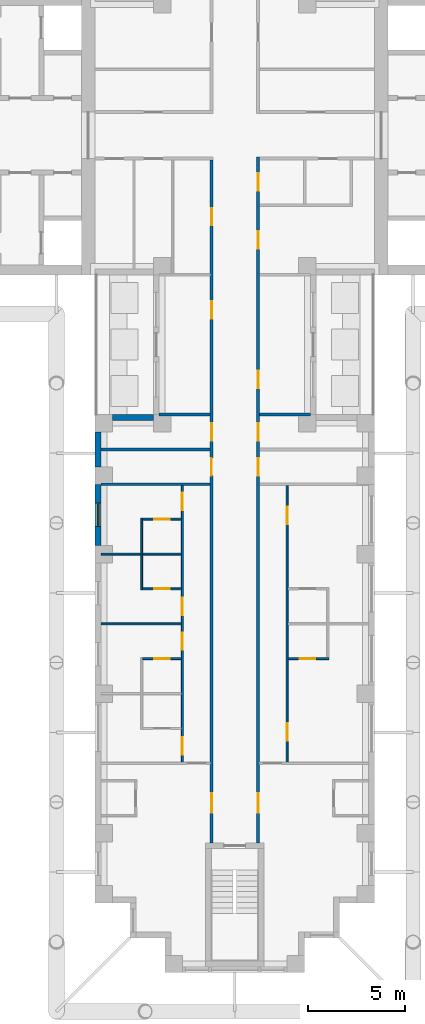
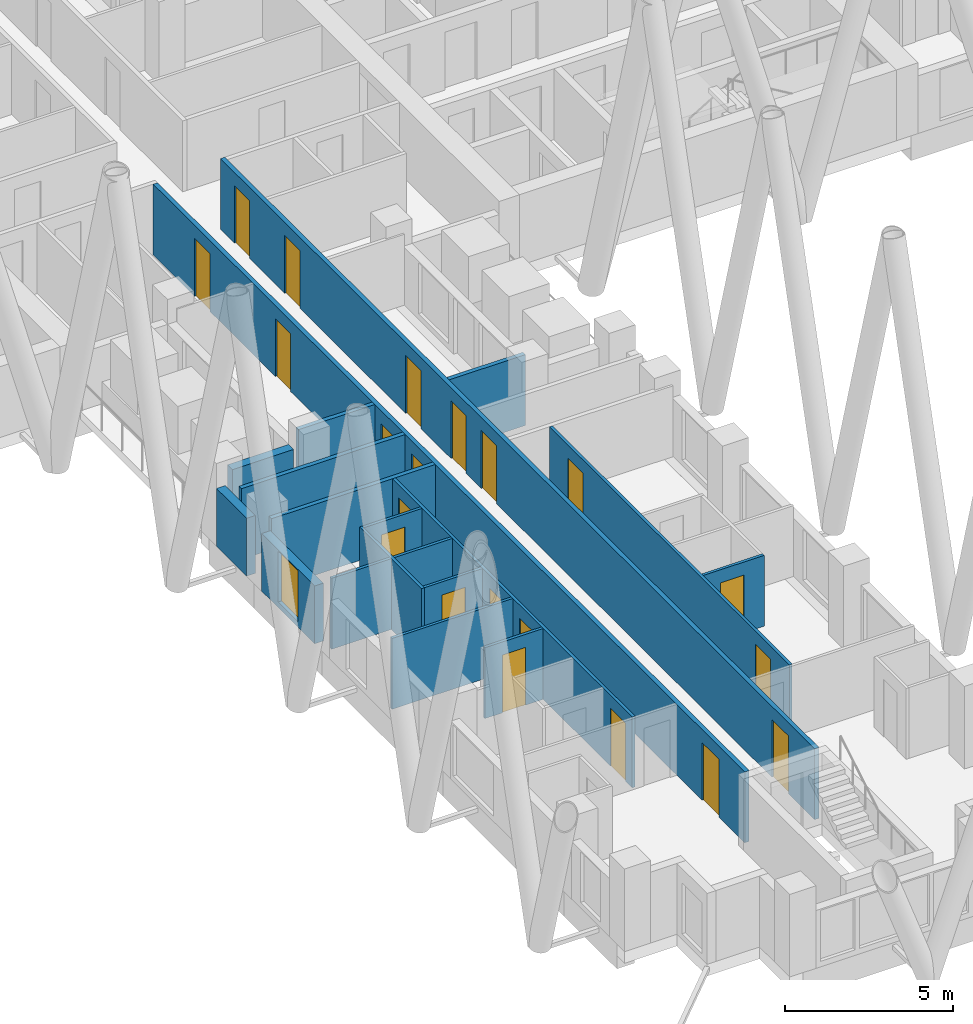
# One storey, part 4 of 14: 21 doors, 18 walls, 1 window, 22 openings.
"""IFC4 building model written with IfcOpenShell, lengths in metres."""

from ifc_helpers import new_model, si_unit, direction, frame, frame_2d, origin, place, context, subcontext, project, spatial, rectangle, extrude, material, layer, layer_set, type_object, element, fill, save


model = new_model("IFC4")

# Units and contexts
model_context = context("Model", 3, precision=1e-05, world=origin(), true_north=direction((0.0, 1.0)))
body_context = subcontext(model_context, "Body", "Model", "MODEL_VIEW")
ifc_project = project(units=[si_unit("LENGTHUNIT", "METRE"), si_unit("AREAUNIT", "SQUARE_METRE"), si_unit("VOLUMEUNIT", "CUBIC_METRE"), si_unit("PLANEANGLEUNIT", "RADIAN"), si_unit("MASSUNIT", "GRAM", prefix="KILO")], contexts=[model_context])

# Site, building, storey
site_placement = place(None, origin())
site = spatial("IfcSite", under=ifc_project, at=site_placement, CompositionType="ELEMENT")
building_placement = place(site_placement, origin())
building = spatial("IfcBuilding", under=site, at=building_placement, Name="Fustian Cross Tower", CompositionType="ELEMENT")
storey_placement = place(building_placement, frame((0.0, 0.0, 102.89990234375)))
storey = spatial("IfcBuildingStorey", under=building, at=storey_placement, Name="L32", CompositionType="ELEMENT", Elevation=102.89990234375)

# Walls
ifc_material_1 = material(Name="Plasterboard on steel stud", Category="steel")
ifc_layer_1 = layer(ifc_material_1, 0.14990234375)
ifc_layer_set_1 = layer_set([ifc_layer_1], Name="Plasterboard on steel stud")
wall_type_1 = type_object("IfcWallType", Name="COMPARTMENT WALL 150 EI 60", PredefinedType="PARTITIONING", material=ifc_layer_set_1)
for number, where, z_axis, x_axis, name in (
    (1, (-6.89990234375, -18.0, 0.0), (0.0, 0.0, 1.0), (1.0, 0.0, 0.0), "Partition 21"),
    (2, (-6.89990234375, -16.199951171875, 0.0), (0.0, 0.0, 1.0), (1.0, 0.0, 0.0), "Partition 22"),
):
    element("IfcWall", number, at=place(storey_placement, frame(where, z_axis=z_axis, x_axis=x_axis)), inside=storey, type_object=wall_type_1, Name=name, PredefinedType="PARTITIONING", context=body_context, shape_type="SweptSolid", body=[
        extrude(rectangle(XDim=5.625, YDim=0.14990234375, at=frame_2d((2.8125, 0.0))), origin(), (0.0, 0.0, 1.0), 2.5751953125),
    ])
wall_1_placement = place(storey_placement, frame((-3.89990234375, -14.39990234375, 0.0), z_axis=(0.0, 0.0, 1.0), x_axis=(1.0, 0.0, 0.0)))
element("IfcWall", 3, at=wall_1_placement, inside=storey, type_object=wall_type_1, Name="Partition 31", PredefinedType="PARTITIONING", context=body_context, shape_type="SweptSolid", body=[
    extrude(rectangle(XDim=2.625, YDim=0.14990234375, at=frame_2d((1.3125, 0.0))), origin(), (0.0, 0.0, 1.0), 2.5751953125),
])

# Wall, openings, doors
wall_2_placement = place(storey_placement, frame((-1.199951171875, -36.5, 0.0), z_axis=(0.0, 0.0, 1.0), x_axis=(0.0, 1.0, 0.0)))
wall_2 = element("IfcWall", 4, at=wall_2_placement, inside=storey, type_object=wall_type_1, Name="Partition 40", PredefinedType="PARTITIONING", context=body_context, shape_type="SweptSolid", body=[
    extrude(rectangle(XDim=35.22509765625, YDim=0.14990234375, at=frame_2d((17.612548828125, 0.0))), origin(), (0.0, 0.0, 1.0), 2.5751953125),
])
opening_1_placement = place(wall_2_placement, frame((31.85009765625, 0.0, 0.0)))
opening_1 = element("IfcOpeningElement", 5, at=opening_1_placement, cuts=wall_2, Name="Opening D15008", PredefinedType="OPENING", context=body_context, shape_type="SweptSolid", body=[
    extrude(rectangle(XDim=0.89990234375, YDim=2.10009765625, at=frame_2d((0.449951171875, 1.050048828125))), frame((0.0, 0.0849609375, 0.0), z_axis=(0.0, -1.0, 0.0), x_axis=(1.0, 0.0, 0.0)), (0.0, 0.0, 1.0), 0.169921875),
])
opening_2_placement = place(wall_2_placement, frame((27.050048828125, 0.0, 0.0)))
opening_2 = element("IfcOpeningElement", 6, at=opening_2_placement, cuts=wall_2, Name="Opening D15047", PredefinedType="OPENING", context=body_context, shape_type="SweptSolid", body=[
    extrude(rectangle(XDim=0.89990234375, YDim=2.10009765625, at=frame_2d((0.449951171875, 1.050048828125))), frame((0.0, 0.0849609375, 0.0), z_axis=(0.0, -1.0, 0.0), x_axis=(1.0, 0.0, 0.0)), (0.0, 0.0, 1.0), 0.169921875),
])
opening_3_placement = place(wall_2_placement, frame((20.75, 0.0, 0.0)))
opening_3 = element("IfcOpeningElement", 7, at=opening_3_placement, cuts=wall_2, Name="Opening D15048", PredefinedType="OPENING", context=body_context, shape_type="SweptSolid", body=[
    extrude(rectangle(XDim=0.89990234375, YDim=2.10009765625, at=frame_2d((0.449951171875, 1.050048828125))), frame((0.0, 0.0849609375, 0.0), z_axis=(0.0, -1.0, 0.0), x_axis=(1.0, 0.0, 0.0)), (0.0, 0.0, 1.0), 0.169921875),
])
opening_4_placement = place(wall_2_placement, frame((18.949951171875, 0.0, 0.0)))
opening_4 = element("IfcOpeningElement", 8, at=opening_4_placement, cuts=wall_2, Name="Opening D15049", PredefinedType="OPENING", context=body_context, shape_type="SweptSolid", body=[
    extrude(rectangle(XDim=0.89990234375, YDim=2.10009765625, at=frame_2d((0.449951171875, 1.050048828125))), frame((0.0, 0.0849609375, 0.0), z_axis=(0.0, -1.0, 0.0), x_axis=(1.0, 0.0, 0.0)), (0.0, 0.0, 1.0), 0.169921875),
])
opening_5_placement = place(wall_2_placement, frame((1.550048828125, 0.0, 0.0)))
opening_5 = element("IfcOpeningElement", 9, at=opening_5_placement, cuts=wall_2, Name="Opening D15051", PredefinedType="OPENING", context=body_context, shape_type="SweptSolid", body=[
    extrude(rectangle(XDim=1.0, YDim=2.10009765625, at=frame_2d((0.5, 1.050048828125))), frame((0.0, 0.0849609375, 0.0), z_axis=(0.0, -1.0, 0.0), x_axis=(1.0, 0.0, 0.0)), (0.0, 0.0, 1.0), 0.169921875),
])
ifc_material_2 = material(Name="Timber fire door set", Category="wood")
door_type_1 = type_object("IfcDoorType", Name="FIRE SWING DOOR 1000 FD30S", OperationType="SINGLE_SWING_LEFT", PredefinedType="DOOR", material=ifc_material_2)
door_1_placement = place(opening_5_placement, origin())
door_1 = element("IfcDoor", 10, at=door_1_placement, inside=storey, type_object=door_type_1, Name="Door D15051", OperationType="SINGLE_SWING_RIGHT", OverallHeight=2.10009765625, OverallWidth=1.0, PredefinedType="DOOR", context=body_context, shape_type="SweptSolid", body=[
    extrude(rectangle(XDim=1.0, YDim=2.10009765625, at=frame_2d((0.5, 1.050048828125))), frame((0.0, 0.02490234375, 0.0), z_axis=(0.0, -1.0, 0.0), x_axis=(1.0, 0.0, 0.0)), (0.0, 0.0, 1.0), 0.050048828125),
])
fill(opening_5, door_1)
ifc_material_3 = material(Name="Timber fire door set", Category="wood")
door_type_2 = type_object("IfcDoorType", Name="FIRE SWING DOOR 900 FD30S", OperationType="SINGLE_SWING_LEFT", PredefinedType="DOOR", material=ifc_material_3)
door_2_placement = place(opening_1_placement, origin())
door_2 = element("IfcDoor", 11, at=door_2_placement, inside=storey, type_object=door_type_2, Name="Door D15008", OperationType="SINGLE_SWING_LEFT", OverallHeight=2.10009765625, OverallWidth=0.89990234375, PredefinedType="DOOR", context=body_context, shape_type="SweptSolid", body=[
    extrude(rectangle(XDim=0.89990234375, YDim=2.10009765625, at=frame_2d((0.449951171875, 1.050048828125))), frame((0.0, 0.02490234375, 0.0), z_axis=(0.0, -1.0, 0.0), x_axis=(1.0, 0.0, 0.0)), (0.0, 0.0, 1.0), 0.050048828125),
])
fill(opening_1, door_2)
door_3_placement = place(opening_2_placement, origin())
door_3 = element("IfcDoor", 12, at=door_3_placement, inside=storey, type_object=door_type_2, Name="Door D15047", OperationType="SINGLE_SWING_RIGHT", OverallHeight=2.10009765625, OverallWidth=0.89990234375, PredefinedType="DOOR", context=body_context, shape_type="SweptSolid", body=[
    extrude(rectangle(XDim=0.89990234375, YDim=2.10009765625, at=frame_2d((0.449951171875, 1.050048828125))), frame((0.0, 0.02490234375, 0.0), z_axis=(0.0, -1.0, 0.0), x_axis=(1.0, 0.0, 0.0)), (0.0, 0.0, 1.0), 0.050048828125),
])
fill(opening_2, door_3)
door_4_placement = place(opening_3_placement, origin())
door_4 = element("IfcDoor", 13, at=door_4_placement, inside=storey, type_object=door_type_2, Name="Door D15048", OperationType="SINGLE_SWING_RIGHT", OverallHeight=2.10009765625, OverallWidth=0.89990234375, PredefinedType="DOOR", context=body_context, shape_type="SweptSolid", body=[
    extrude(rectangle(XDim=0.89990234375, YDim=2.10009765625, at=frame_2d((0.449951171875, 1.050048828125))), frame((0.0, 0.02490234375, 0.0), z_axis=(0.0, -1.0, 0.0), x_axis=(1.0, 0.0, 0.0)), (0.0, 0.0, 1.0), 0.050048828125),
])
fill(opening_3, door_4)
door_5_placement = place(opening_4_placement, frame((0.89990234375, 0.0, 0.0), z_axis=(0.0, 0.0, 1.0), x_axis=(-1.0, 0.0, 0.0)))
door_5 = element("IfcDoor", 14, at=door_5_placement, inside=storey, type_object=door_type_2, Name="Door D15049", OperationType="SINGLE_SWING_LEFT", OverallHeight=2.10009765625, OverallWidth=0.89990234375, PredefinedType="DOOR", context=body_context, shape_type="SweptSolid", body=[
    extrude(rectangle(XDim=0.89990234375, YDim=2.10009765625, at=frame_2d((0.449951171875, 1.050048828125))), frame((0.0, 0.02490234375, 0.0), z_axis=(0.0, -1.0, 0.0), x_axis=(1.0, 0.0, 0.0)), (0.0, 0.0, 1.0), 0.050048828125),
])
fill(opening_4, door_5)

wall_3_placement = place(storey_placement, frame((1.199951171875, -36.5, 0.0), z_axis=(0.0, 0.0, 1.0), x_axis=(0.0, 1.0, 0.0)))
wall_3 = element("IfcWall", 15, at=wall_3_placement, inside=storey, type_object=wall_type_1, Name="Partition 43", PredefinedType="PARTITIONING", context=body_context, shape_type="SweptSolid", body=[
    extrude(rectangle(XDim=35.375, YDim=0.14990234375, at=frame_2d((17.6875, 0.0))), origin(), (0.0, 0.0, 1.0), 2.5751953125),
])
opening_6_placement = place(wall_3_placement, frame((33.64990234375, 0.0, 0.0)))
opening_6 = element("IfcOpeningElement", 16, at=opening_6_placement, cuts=wall_3, Name="Opening D15005", PredefinedType="OPENING", context=body_context, shape_type="SweptSolid", body=[
    extrude(rectangle(XDim=0.89990234375, YDim=2.10009765625, at=frame_2d((0.449951171875, 1.050048828125))), frame((0.0, 0.0849609375, 0.0), z_axis=(0.0, -1.0, 0.0), x_axis=(1.0, 0.0, 0.0)), (0.0, 0.0, 1.0), 0.169921875),
])
opening_7_placement = place(wall_3_placement, frame((30.64990234375, 0.0, 0.0)))
opening_7 = element("IfcOpeningElement", 17, at=opening_7_placement, cuts=wall_3, Name="Opening D15007", PredefinedType="OPENING", context=body_context, shape_type="SweptSolid", body=[
    extrude(rectangle(XDim=0.89990234375, YDim=2.10009765625, at=frame_2d((0.449951171875, 1.050048828125))), frame((0.0, 0.0849609375, 0.0), z_axis=(0.0, -1.0, 0.0), x_axis=(1.0, 0.0, 0.0)), (0.0, 0.0, 1.0), 0.169921875),
])
opening_8_placement = place(wall_3_placement, frame((23.449951171875, 0.0, 0.0)))
opening_8 = element("IfcOpeningElement", 18, at=opening_8_placement, cuts=wall_3, Name="Opening D15037", PredefinedType="OPENING", context=body_context, shape_type="SweptSolid", body=[
    extrude(rectangle(XDim=0.89990234375, YDim=2.10009765625, at=frame_2d((0.449951171875, 1.050048828125))), frame((0.0, 0.0849609375, 0.0), z_axis=(0.0, -1.0, 0.0), x_axis=(1.0, 0.0, 0.0)), (0.0, 0.0, 1.0), 0.169921875),
])
opening_9_placement = place(wall_3_placement, frame((20.75, 0.0, 0.0)))
opening_9 = element("IfcOpeningElement", 19, at=opening_9_placement, cuts=wall_3, Name="Opening D15038", PredefinedType="OPENING", context=body_context, shape_type="SweptSolid", body=[
    extrude(rectangle(XDim=0.89990234375, YDim=2.10009765625, at=frame_2d((0.449951171875, 1.050048828125))), frame((0.0, 0.0849609375, 0.0), z_axis=(0.0, -1.0, 0.0), x_axis=(1.0, 0.0, 0.0)), (0.0, 0.0, 1.0), 0.169921875),
])
opening_10_placement = place(wall_3_placement, frame((18.949951171875, 0.0, 0.0)))
opening_10 = element("IfcOpeningElement", 20, at=opening_10_placement, cuts=wall_3, Name="Opening D15039", PredefinedType="OPENING", context=body_context, shape_type="SweptSolid", body=[
    extrude(rectangle(XDim=0.89990234375, YDim=2.10009765625, at=frame_2d((0.449951171875, 1.050048828125))), frame((0.0, 0.0849609375, 0.0), z_axis=(0.0, -1.0, 0.0), x_axis=(1.0, 0.0, 0.0)), (0.0, 0.0, 1.0), 0.169921875),
])
opening_11_placement = place(wall_3_placement, frame((1.550048828125, 0.0, 0.0)))
opening_11 = element("IfcOpeningElement", 21, at=opening_11_placement, cuts=wall_3, Name="Opening D15041", PredefinedType="OPENING", context=body_context, shape_type="SweptSolid", body=[
    extrude(rectangle(XDim=1.0, YDim=2.10009765625, at=frame_2d((0.5, 1.050048828125))), frame((0.0, 0.0849609375, 0.0), z_axis=(0.0, -1.0, 0.0), x_axis=(1.0, 0.0, 0.0)), (0.0, 0.0, 1.0), 0.169921875),
])
door_6_placement = place(opening_11_placement, frame((1.0, 0.0, 0.0), z_axis=(0.0, 0.0, 1.0), x_axis=(-1.0, 0.0, 0.0)))
door_6 = element("IfcDoor", 22, at=door_6_placement, inside=storey, type_object=door_type_1, Name="Door D15041", OperationType="SINGLE_SWING_LEFT", OverallHeight=2.10009765625, OverallWidth=1.0, PredefinedType="DOOR", context=body_context, shape_type="SweptSolid", body=[
    extrude(rectangle(XDim=1.0, YDim=2.10009765625, at=frame_2d((0.5, 1.050048828125))), frame((0.0, 0.02490234375, 0.0), z_axis=(0.0, -1.0, 0.0), x_axis=(1.0, 0.0, 0.0)), (0.0, 0.0, 1.0), 0.050048828125),
])
fill(opening_11, door_6)
door_7_placement = place(opening_6_placement, frame((0.89990234375, 0.0, 0.0), z_axis=(0.0, 0.0, 1.0), x_axis=(-1.0, 0.0, 0.0)))
door_7 = element("IfcDoor", 23, at=door_7_placement, inside=storey, type_object=door_type_2, Name="Door D15005", OperationType="SINGLE_SWING_RIGHT", OverallHeight=2.10009765625, OverallWidth=0.89990234375, PredefinedType="DOOR", context=body_context, shape_type="SweptSolid", body=[
    extrude(rectangle(XDim=0.89990234375, YDim=2.10009765625, at=frame_2d((0.449951171875, 1.050048828125))), frame((0.0, 0.02490234375, 0.0), z_axis=(0.0, -1.0, 0.0), x_axis=(1.0, 0.0, 0.0)), (0.0, 0.0, 1.0), 0.050048828125),
])
fill(opening_6, door_7)
door_8_placement = place(opening_7_placement, frame((0.89990234375, 0.0, 0.0), z_axis=(0.0, 0.0, 1.0), x_axis=(-1.0, 0.0, 0.0)))
door_8 = element("IfcDoor", 24, at=door_8_placement, inside=storey, type_object=door_type_2, Name="Door D15007", OperationType="SINGLE_SWING_RIGHT", OverallHeight=2.10009765625, OverallWidth=0.89990234375, PredefinedType="DOOR", context=body_context, shape_type="SweptSolid", body=[
    extrude(rectangle(XDim=0.89990234375, YDim=2.10009765625, at=frame_2d((0.449951171875, 1.050048828125))), frame((0.0, 0.02490234375, 0.0), z_axis=(0.0, -1.0, 0.0), x_axis=(1.0, 0.0, 0.0)), (0.0, 0.0, 1.0), 0.050048828125),
])
fill(opening_7, door_8)
door_9_placement = place(opening_8_placement, frame((0.89990234375, 0.0, 0.0), z_axis=(0.0, 0.0, 1.0), x_axis=(-1.0, 0.0, 0.0)))
door_9 = element("IfcDoor", 25, at=door_9_placement, inside=storey, type_object=door_type_2, Name="Door D15037", OperationType="SINGLE_SWING_RIGHT", OverallHeight=2.10009765625, OverallWidth=0.89990234375, PredefinedType="DOOR", context=body_context, shape_type="SweptSolid", body=[
    extrude(rectangle(XDim=0.89990234375, YDim=2.10009765625, at=frame_2d((0.449951171875, 1.050048828125))), frame((0.0, 0.02490234375, 0.0), z_axis=(0.0, -1.0, 0.0), x_axis=(1.0, 0.0, 0.0)), (0.0, 0.0, 1.0), 0.050048828125),
])
fill(opening_8, door_9)
door_10_placement = place(opening_9_placement, origin())
door_10 = element("IfcDoor", 26, at=door_10_placement, inside=storey, type_object=door_type_2, Name="Door D15038", OperationType="SINGLE_SWING_RIGHT", OverallHeight=2.10009765625, OverallWidth=0.89990234375, PredefinedType="DOOR", context=body_context, shape_type="SweptSolid", body=[
    extrude(rectangle(XDim=0.89990234375, YDim=2.10009765625, at=frame_2d((0.449951171875, 1.050048828125))), frame((0.0, 0.02490234375, 0.0), z_axis=(0.0, -1.0, 0.0), x_axis=(1.0, 0.0, 0.0)), (0.0, 0.0, 1.0), 0.050048828125),
])
fill(opening_9, door_10)
door_11_placement = place(opening_10_placement, frame((0.89990234375, 0.0, 0.0), z_axis=(0.0, 0.0, 1.0), x_axis=(-1.0, 0.0, 0.0)))
door_11 = element("IfcDoor", 27, at=door_11_placement, inside=storey, type_object=door_type_2, Name="Door D15039", OperationType="SINGLE_SWING_LEFT", OverallHeight=2.10009765625, OverallWidth=0.89990234375, PredefinedType="DOOR", context=body_context, shape_type="SweptSolid", body=[
    extrude(rectangle(XDim=0.89990234375, YDim=2.10009765625, at=frame_2d((0.449951171875, 1.050048828125))), frame((0.0, 0.02490234375, 0.0), z_axis=(0.0, -1.0, 0.0), x_axis=(1.0, 0.0, 0.0)), (0.0, 0.0, 1.0), 0.050048828125),
])
fill(opening_10, door_11)

# Walls
wall_4_placement = place(storey_placement, frame((1.27490234375, -14.39990234375, 0.0), z_axis=(0.0, 0.0, 1.0), x_axis=(1.0, 0.0, 0.0)))
element("IfcWall", 28, at=wall_4_placement, inside=storey, type_object=wall_type_1, Name="Partition 47", PredefinedType="PARTITIONING", context=body_context, shape_type="SweptSolid", body=[
    extrude(rectangle(XDim=2.625, YDim=0.14990234375, at=frame_2d((1.3125, 0.0))), origin(), (0.0, 0.0, 1.0), 2.5751953125),
])
ifc_material_4 = material(Name="Plasterboard on steel stud", Category="steel")
ifc_layer_2 = layer(ifc_material_4, 0.10009765625)
ifc_layer_set_2 = layer_set([ifc_layer_2], Name="Plasterboard on steel stud")
wall_type_2 = type_object("IfcWallType", Name="PARTITION 100 STUD", PredefinedType="PARTITIONING", material=ifc_layer_set_2)
for number, where, z_axis, x_axis, name in (
    (29, (-6.89990234375, -25.199951171875, 0.0), (0.0, 0.0, 1.0), (1.0, 0.0, 0.0), "Partition 19"),
    (30, (-6.89990234375, -21.60009765625, 0.0), (0.0, 0.0, 1.0), (1.0, 0.0, 0.0), "Partition 20"),
):
    element("IfcWall", number, at=place(storey_placement, frame(where, z_axis=z_axis, x_axis=x_axis)), inside=storey, type_object=wall_type_2, Name=name, PredefinedType="PARTITIONING", context=body_context, shape_type="SweptSolid", body=[
        extrude(rectangle(XDim=4.14990234375, YDim=0.10009765625, at=frame_2d((2.074951171875, 0.0))), origin(), (0.0, 0.0, 1.0), 2.5751953125),
    ])

# Wall, opening, door
wall_5_placement = place(storey_placement, frame((-4.75, -27.0, 0.0), z_axis=(0.0, 0.0, 1.0), x_axis=(1.0, 0.0, 0.0)))
wall_5 = element("IfcWall", 31, at=wall_5_placement, inside=storey, type_object=wall_type_2, Name="Partition 27", PredefinedType="PARTITIONING", context=body_context, shape_type="SweptSolid", body=[
    extrude(rectangle(XDim=2.0, YDim=0.10009765625, at=frame_2d((1.0, 0.0))), origin(), (0.0, 0.0, 1.0), 2.5751953125),
])
opening_12_placement = place(wall_5_placement, frame((0.60009765625, 0.0, 0.0)))
opening_12 = element("IfcOpeningElement", 32, at=opening_12_placement, cuts=wall_5, Name="Opening D15059", PredefinedType="OPENING", context=body_context, shape_type="SweptSolid", body=[
    extrude(rectangle(XDim=0.800048828125, YDim=2.10009765625, at=frame_2d((0.39990234375, 1.050048828125))), frame((0.0, 0.06005859375, 0.0), z_axis=(0.0, -1.0, 0.0), x_axis=(1.0, 0.0, 0.0)), (0.0, 0.0, 1.0), 0.1201171875),
])
ifc_material_5 = material(Name="Painted timber", Category="wood")
door_type_3 = type_object("IfcDoorType", Name="SWING DOOR 800", OperationType="SINGLE_SWING_LEFT", PredefinedType="DOOR", material=ifc_material_5)
door_12_placement = place(opening_12_placement, frame((0.800048828125, 0.0, 0.0), z_axis=(0.0, 0.0, 1.0), x_axis=(-1.0, 0.0, 0.0)))
door_12 = element("IfcDoor", 33, at=door_12_placement, inside=storey, type_object=door_type_3, Name="Door D15059", OperationType="SINGLE_SWING_RIGHT", OverallHeight=2.10009765625, OverallWidth=0.800048828125, PredefinedType="DOOR", context=body_context, shape_type="SweptSolid", body=[
    extrude(rectangle(XDim=0.800048828125, YDim=2.10009765625, at=frame_2d((0.39990234375, 1.050048828125))), frame((0.0, 0.02490234375, 0.0), z_axis=(0.0, -1.0, 0.0), x_axis=(1.0, 0.0, 0.0)), (0.0, 0.0, 1.0), 0.050048828125),
])
fill(opening_12, door_12)

# Wall
wall_6_placement = place(storey_placement, frame((-4.800048828125, -23.449951171875, 0.0), z_axis=(0.0, 0.0, 1.0), x_axis=(0.0, 1.0, 0.0)))
element("IfcWall", 34, at=wall_6_placement, inside=storey, type_object=wall_type_2, Name="Partition 28", PredefinedType="PARTITIONING", context=body_context, shape_type="SweptSolid", body=[
    extrude(rectangle(XDim=3.699951171875, YDim=0.10009765625, at=frame_2d((1.85009765625, 0.0))), origin(), (0.0, 0.0, 1.0), 2.5751953125),
])

# Wall, opening, door
wall_7_placement = place(storey_placement, frame((-4.75, -23.39990234375, 0.0), z_axis=(0.0, 0.0, 1.0), x_axis=(1.0, 0.0, 0.0)))
wall_7 = element("IfcWall", 35, at=wall_7_placement, inside=storey, type_object=wall_type_2, Name="Partition 29", PredefinedType="PARTITIONING", context=body_context, shape_type="SweptSolid", body=[
    extrude(rectangle(XDim=2.0, YDim=0.10009765625, at=frame_2d((1.0, 0.0))), origin(), (0.0, 0.0, 1.0), 2.5751953125),
])
opening_13_placement = place(wall_7_placement, frame((0.60009765625, 0.0, 0.0)))
opening_13 = element("IfcOpeningElement", 36, at=opening_13_placement, cuts=wall_7, Name="Opening D15058", PredefinedType="OPENING", context=body_context, shape_type="SweptSolid", body=[
    extrude(rectangle(XDim=0.800048828125, YDim=2.10009765625, at=frame_2d((0.39990234375, 1.050048828125))), frame((0.0, 0.06005859375, 0.0), z_axis=(0.0, -1.0, 0.0), x_axis=(1.0, 0.0, 0.0)), (0.0, 0.0, 1.0), 0.1201171875),
])
door_13_placement = place(opening_13_placement, origin())
door_13 = element("IfcDoor", 37, at=door_13_placement, inside=storey, type_object=door_type_3, Name="Door D15058", OperationType="SINGLE_SWING_LEFT", OverallHeight=2.10009765625, OverallWidth=0.800048828125, PredefinedType="DOOR", context=body_context, shape_type="SweptSolid", body=[
    extrude(rectangle(XDim=0.800048828125, YDim=2.10009765625, at=frame_2d((0.39990234375, 1.050048828125))), frame((0.0, 0.02490234375, 0.0), z_axis=(0.0, -1.0, 0.0), x_axis=(1.0, 0.0, 0.0)), (0.0, 0.0, 1.0), 0.050048828125),
])
fill(opening_13, door_13)

wall_8_placement = place(storey_placement, frame((-4.75, -19.800048828125, 0.0), z_axis=(0.0, 0.0, 1.0), x_axis=(1.0, 0.0, 0.0)))
wall_8 = element("IfcWall", 38, at=wall_8_placement, inside=storey, type_object=wall_type_2, Name="Partition 30", PredefinedType="PARTITIONING", context=body_context, shape_type="SweptSolid", body=[
    extrude(rectangle(XDim=2.0, YDim=0.10009765625, at=frame_2d((1.0, 0.0))), origin(), (0.0, 0.0, 1.0), 2.5751953125),
])
opening_14_placement = place(wall_8_placement, frame((0.60009765625, 0.0, 0.0)))
opening_14 = element("IfcOpeningElement", 39, at=opening_14_placement, cuts=wall_8, Name="Opening D15057", PredefinedType="OPENING", context=body_context, shape_type="SweptSolid", body=[
    extrude(rectangle(XDim=0.800048828125, YDim=2.10009765625, at=frame_2d((0.39990234375, 1.050048828125))), frame((0.0, 0.06005859375, 0.0), z_axis=(0.0, -1.0, 0.0), x_axis=(1.0, 0.0, 0.0)), (0.0, 0.0, 1.0), 0.1201171875),
])
door_14_placement = place(opening_14_placement, frame((0.800048828125, 0.0, 0.0), z_axis=(0.0, 0.0, 1.0), x_axis=(-1.0, 0.0, 0.0)))
door_14 = element("IfcDoor", 40, at=door_14_placement, inside=storey, type_object=door_type_3, Name="Door D15057", OperationType="SINGLE_SWING_RIGHT", OverallHeight=2.10009765625, OverallWidth=0.800048828125, PredefinedType="DOOR", context=body_context, shape_type="SweptSolid", body=[
    extrude(rectangle(XDim=0.800048828125, YDim=2.10009765625, at=frame_2d((0.39990234375, 1.050048828125))), frame((0.0, 0.02490234375, 0.0), z_axis=(0.0, -1.0, 0.0), x_axis=(1.0, 0.0, 0.0)), (0.0, 0.0, 1.0), 0.050048828125),
])
fill(opening_14, door_14)

# Wall, openings, doors
wall_9_placement = place(storey_placement, frame((-2.699951171875, -32.35009765625, 0.0), z_axis=(0.0, 0.0, 1.0), x_axis=(0.0, 1.0, 0.0)))
wall_9 = element("IfcWall", 41, at=wall_9_placement, inside=storey, type_object=wall_type_2, Name="Partition 39", PredefinedType="PARTITIONING", context=body_context, shape_type="SweptSolid", body=[
    extrude(rectangle(XDim=14.275146484375, YDim=0.10009765625, at=frame_2d((7.1376953125, 0.0))), origin(), (0.0, 0.0, 1.0), 2.5751953125),
])
opening_15_placement = place(wall_9_placement, frame((0.400146484375, 0.0, 0.0)))
opening_15 = element("IfcOpeningElement", 42, at=opening_15_placement, cuts=wall_9, Name="Opening D15052", PredefinedType="OPENING", context=body_context, shape_type="SweptSolid", body=[
    extrude(rectangle(XDim=0.89990234375, YDim=2.10009765625, at=frame_2d((0.449951171875, 1.050048828125))), frame((0.0, 0.06005859375, 0.0), z_axis=(0.0, -1.0, 0.0), x_axis=(1.0, 0.0, 0.0)), (0.0, 0.0, 1.0), 0.1201171875),
])
opening_16_placement = place(wall_9_placement, frame((5.800048828125, 0.0, 0.0)))
opening_16 = element("IfcOpeningElement", 43, at=opening_16_placement, cuts=wall_9, Name="Opening D15053", PredefinedType="OPENING", context=body_context, shape_type="SweptSolid", body=[
    extrude(rectangle(XDim=0.89990234375, YDim=2.10009765625, at=frame_2d((0.449951171875, 1.050048828125))), frame((0.0, 0.06005859375, 0.0), z_axis=(0.0, -1.0, 0.0), x_axis=(1.0, 0.0, 0.0)), (0.0, 0.0, 1.0), 0.1201171875),
])
opening_17_placement = place(wall_9_placement, frame((7.60009765625, 0.0, 0.0)))
opening_17 = element("IfcOpeningElement", 44, at=opening_17_placement, cuts=wall_9, Name="Opening D15054", PredefinedType="OPENING", context=body_context, shape_type="SweptSolid", body=[
    extrude(rectangle(XDim=0.89990234375, YDim=2.10009765625, at=frame_2d((0.449951171875, 1.050048828125))), frame((0.0, 0.06005859375, 0.0), z_axis=(0.0, -1.0, 0.0), x_axis=(1.0, 0.0, 0.0)), (0.0, 0.0, 1.0), 0.1201171875),
])
opening_18_placement = place(wall_9_placement, frame((13.0, 0.0, 0.0)))
opening_18 = element("IfcOpeningElement", 45, at=opening_18_placement, cuts=wall_9, Name="Opening D15055", PredefinedType="OPENING", context=body_context, shape_type="SweptSolid", body=[
    extrude(rectangle(XDim=0.89990234375, YDim=2.10009765625, at=frame_2d((0.449951171875, 1.050048828125))), frame((0.0, 0.06005859375, 0.0), z_axis=(0.0, -1.0, 0.0), x_axis=(1.0, 0.0, 0.0)), (0.0, 0.0, 1.0), 0.1201171875),
])
ifc_material_6 = material(Name="Painted timber", Category="wood")
door_type_4 = type_object("IfcDoorType", Name="SWING DOOR 900", OperationType="SINGLE_SWING_LEFT", PredefinedType="DOOR", material=ifc_material_6)
door_15_placement = place(opening_15_placement, origin())
door_15 = element("IfcDoor", 46, at=door_15_placement, inside=storey, type_object=door_type_4, Name="Door D15052", OperationType="SINGLE_SWING_LEFT", OverallHeight=2.10009765625, OverallWidth=0.89990234375, PredefinedType="DOOR", context=body_context, shape_type="SweptSolid", body=[
    extrude(rectangle(XDim=0.89990234375, YDim=2.10009765625, at=frame_2d((0.449951171875, 1.050048828125))), frame((0.0, 0.02490234375, 0.0), z_axis=(0.0, -1.0, 0.0), x_axis=(1.0, 0.0, 0.0)), (0.0, 0.0, 1.0), 0.050048828125),
])
fill(opening_15, door_15)
door_16_placement = place(opening_16_placement, origin())
door_16 = element("IfcDoor", 47, at=door_16_placement, inside=storey, type_object=door_type_4, Name="Door D15053", OperationType="SINGLE_SWING_LEFT", OverallHeight=2.10009765625, OverallWidth=0.89990234375, PredefinedType="DOOR", context=body_context, shape_type="SweptSolid", body=[
    extrude(rectangle(XDim=0.89990234375, YDim=2.10009765625, at=frame_2d((0.449951171875, 1.050048828125))), frame((0.0, 0.02490234375, 0.0), z_axis=(0.0, -1.0, 0.0), x_axis=(1.0, 0.0, 0.0)), (0.0, 0.0, 1.0), 0.050048828125),
])
fill(opening_16, door_16)
door_17_placement = place(opening_17_placement, origin())
door_17 = element("IfcDoor", 48, at=door_17_placement, inside=storey, type_object=door_type_4, Name="Door D15054", OperationType="SINGLE_SWING_LEFT", OverallHeight=2.10009765625, OverallWidth=0.89990234375, PredefinedType="DOOR", context=body_context, shape_type="SweptSolid", body=[
    extrude(rectangle(XDim=0.89990234375, YDim=2.10009765625, at=frame_2d((0.449951171875, 1.050048828125))), frame((0.0, 0.02490234375, 0.0), z_axis=(0.0, -1.0, 0.0), x_axis=(1.0, 0.0, 0.0)), (0.0, 0.0, 1.0), 0.050048828125),
])
fill(opening_17, door_17)
door_18_placement = place(opening_18_placement, origin())
door_18 = element("IfcDoor", 49, at=door_18_placement, inside=storey, type_object=door_type_4, Name="Door D15055", OperationType="SINGLE_SWING_LEFT", OverallHeight=2.10009765625, OverallWidth=0.89990234375, PredefinedType="DOOR", context=body_context, shape_type="SweptSolid", body=[
    extrude(rectangle(XDim=0.89990234375, YDim=2.10009765625, at=frame_2d((0.449951171875, 1.050048828125))), frame((0.0, 0.02490234375, 0.0), z_axis=(0.0, -1.0, 0.0), x_axis=(1.0, 0.0, 0.0)), (0.0, 0.0, 1.0), 0.050048828125),
])
fill(opening_18, door_18)

wall_10_placement = place(storey_placement, frame((2.699951171875, -32.35009765625, 0.0), z_axis=(0.0, 0.0, 1.0), x_axis=(0.0, 1.0, 0.0)))
wall_10 = element("IfcWall", 50, at=wall_10_placement, inside=storey, type_object=wall_type_2, Name="Partition 59", PredefinedType="PARTITIONING", context=body_context, shape_type="SweptSolid", body=[
    extrude(rectangle(XDim=14.275146484375, YDim=0.10009765625, at=frame_2d((7.1376953125, 0.0))), origin(), (0.0, 0.0, 1.0), 2.5751953125),
])
opening_19_placement = place(wall_10_placement, frame((1.1201171875, 0.0, 0.0)))
opening_19 = element("IfcOpeningElement", 51, at=opening_19_placement, cuts=wall_10, Name="Opening D15043", PredefinedType="OPENING", context=body_context, shape_type="SweptSolid", body=[
    extrude(rectangle(XDim=0.89990234375, YDim=2.10009765625, at=frame_2d((0.449951171875, 1.050048828125))), frame((0.0, 0.06005859375, 0.0), z_axis=(0.0, -1.0, 0.0), x_axis=(1.0, 0.0, 0.0)), (0.0, 0.0, 1.0), 0.1201171875),
])
opening_20_placement = place(wall_10_placement, frame((12.280029296875, 0.0, 0.0)))
opening_20 = element("IfcOpeningElement", 52, at=opening_20_placement, cuts=wall_10, Name="Opening D15044", PredefinedType="OPENING", context=body_context, shape_type="SweptSolid", body=[
    extrude(rectangle(XDim=0.89990234375, YDim=2.10009765625, at=frame_2d((0.449951171875, 1.050048828125))), frame((0.0, 0.06005859375, 0.0), z_axis=(0.0, -1.0, 0.0), x_axis=(1.0, 0.0, 0.0)), (0.0, 0.0, 1.0), 0.1201171875),
])
door_19_placement = place(opening_19_placement, origin())
door_19 = element("IfcDoor", 53, at=door_19_placement, inside=storey, type_object=door_type_4, Name="Door D15043", OperationType="SINGLE_SWING_LEFT", OverallHeight=2.10009765625, OverallWidth=0.89990234375, PredefinedType="DOOR", context=body_context, shape_type="SweptSolid", body=[
    extrude(rectangle(XDim=0.89990234375, YDim=2.10009765625, at=frame_2d((0.449951171875, 1.050048828125))), frame((0.0, 0.02490234375, 0.0), z_axis=(0.0, -1.0, 0.0), x_axis=(1.0, 0.0, 0.0)), (0.0, 0.0, 1.0), 0.050048828125),
])
fill(opening_19, door_19)
door_20_placement = place(opening_20_placement, origin())
door_20 = element("IfcDoor", 54, at=door_20_placement, inside=storey, type_object=door_type_4, Name="Door D15044", OperationType="SINGLE_SWING_RIGHT", OverallHeight=2.10009765625, OverallWidth=0.89990234375, PredefinedType="DOOR", context=body_context, shape_type="SweptSolid", body=[
    extrude(rectangle(XDim=0.89990234375, YDim=2.10009765625, at=frame_2d((0.449951171875, 1.050048828125))), frame((0.0, 0.02490234375, 0.0), z_axis=(0.0, -1.0, 0.0), x_axis=(1.0, 0.0, 0.0)), (0.0, 0.0, 1.0), 0.050048828125),
])
fill(opening_20, door_20)

# Wall, opening, door
wall_11_placement = place(storey_placement, frame((2.75, -27.0, 0.0), z_axis=(0.0, 0.0, 1.0), x_axis=(1.0, 0.0, 0.0)))
wall_11 = element("IfcWall", 55, at=wall_11_placement, inside=storey, type_object=wall_type_2, Name="Partition 60", PredefinedType="PARTITIONING", context=body_context, shape_type="SweptSolid", body=[
    extrude(rectangle(XDim=2.10009765625, YDim=0.10009765625, at=frame_2d((1.050048828125, 0.0))), origin(), (0.0, 0.0, 1.0), 2.5751953125),
])
opening_21_placement = place(wall_11_placement, frame((0.60009765625, 0.0, 0.0)))
opening_21 = element("IfcOpeningElement", 56, at=opening_21_placement, cuts=wall_11, Name="Opening D15046", PredefinedType="OPENING", context=body_context, shape_type="SweptSolid", body=[
    extrude(rectangle(XDim=0.800048828125, YDim=2.10009765625, at=frame_2d((0.39990234375, 1.050048828125))), frame((0.0, 0.06005859375, 0.0), z_axis=(0.0, -1.0, 0.0), x_axis=(1.0, 0.0, 0.0)), (0.0, 0.0, 1.0), 0.1201171875),
])
door_21_placement = place(opening_21_placement, origin())
door_21 = element("IfcDoor", 57, at=door_21_placement, inside=storey, type_object=door_type_3, Name="Door D15046", OperationType="SINGLE_SWING_LEFT", OverallHeight=2.10009765625, OverallWidth=0.800048828125, PredefinedType="DOOR", context=body_context, shape_type="SweptSolid", body=[
    extrude(rectangle(XDim=0.800048828125, YDim=2.10009765625, at=frame_2d((0.39990234375, 1.050048828125))), frame((0.0, 0.02490234375, 0.0), z_axis=(0.0, -1.0, 0.0), x_axis=(1.0, 0.0, 0.0)), (0.0, 0.0, 1.0), 0.050048828125),
])
fill(opening_21, door_21)

# Walls
ifc_material_7 = material(Name="Dark aluminium cladding on insulated backing wall", Category="aluminium")
ifc_layer_3 = layer(ifc_material_7, 0.300048828125)
ifc_layer_set_3 = layer_set([ifc_layer_3], Name="Dark aluminium cladding on insulated backing wall")
wall_type_3 = type_object("IfcWallType", Name="XW1 EXTERNAL WALL 300", PredefinedType="SOLIDWALL", material=ifc_layer_set_3)
wall_12_placement = place(storey_placement, frame((-4.199951171875, -14.550048828125, 0.0), z_axis=(0.0, 0.0, 1.0), x_axis=(-1.0, 0.0, 0.0)))
element("IfcWall", 58, at=wall_12_placement, inside=storey, type_object=wall_type_3, Name="External wall", PredefinedType="SOLIDWALL", context=body_context, shape_type="SweptSolid", body=[
    extrude(rectangle(XDim=2.10009765625, YDim=0.300048828125, at=frame_2d((1.050048828125, 0.0))), origin(), (0.0, 0.0, 1.0), 2.10009765625),
])
wall_13_placement = place(storey_placement, frame((-7.050048828125, -15.300048828125, 0.0), z_axis=(0.0, 0.0, 1.0), x_axis=(0.0, -1.0, 0.0)))
element("IfcWall", 59, at=wall_13_placement, inside=storey, type_object=wall_type_3, Name="External wall", PredefinedType="SOLIDWALL", context=body_context, shape_type="SweptSolid", body=[
    extrude(rectangle(XDim=1.800048828125, YDim=0.300048828125, at=frame_2d((0.89990234375, 0.0))), origin(), (0.0, 0.0, 1.0), 2.10009765625),
])

# Wall, opening, window
wall_14_placement = place(storey_placement, frame((-7.050048828125, -18.0, 0.0), z_axis=(0.0, 0.0, 1.0), x_axis=(0.0, -1.0, 0.0)))
wall_14 = element("IfcWall", 60, at=wall_14_placement, inside=storey, type_object=wall_type_3, Name="External wall", PredefinedType="SOLIDWALL", context=body_context, shape_type="SweptSolid", body=[
    extrude(rectangle(XDim=3.14990234375, YDim=0.300048828125, at=frame_2d((1.574951171875, 0.0))), origin(), (0.0, 0.0, 1.0), 2.10009765625),
])
opening_22_placement = place(wall_14_placement, frame((0.97509765625, 0.0, 0.199951171875)))
opening_22 = element("IfcOpeningElement", 61, at=opening_22_placement, cuts=wall_14, Name="Opening WN3", PredefinedType="OPENING", context=body_context, shape_type="SweptSolid", body=[
    extrude(rectangle(XDim=1.199951171875, YDim=1.85009765625, at=frame_2d((0.60009765625, 0.925048828125))), frame((0.0, 0.159912109375, 0.0), z_axis=(0.0, -1.0, 0.0), x_axis=(1.0, 0.0, 0.0)), (0.0, 0.0, 1.0), 0.320068359375),
])
ifc_material_8 = material(Name="Dark anodised aluminium and double glazing", Category="aluminium")
window_type = type_object("IfcWindowType", Name="WN3 WINDOW 1200X1850", PartitioningType="SINGLE_PANEL", PredefinedType="WINDOW", material=ifc_material_8)
window_placement = place(opening_22_placement, origin())
window = element("IfcWindow", 62, at=window_placement, inside=storey, type_object=window_type, Name="Window", OverallHeight=1.85009765625, OverallWidth=1.199951171875, PartitioningType="SINGLE_PANEL", PredefinedType="WINDOW", context=body_context, shape_type="SweptSolid", body=[
    extrude(rectangle(XDim=1.199951171875, YDim=1.85009765625, at=frame_2d((0.60009765625, 0.925048828125))), frame((0.0, 0.030029296875, 0.0), z_axis=(0.0, -1.0, 0.0), x_axis=(1.0, 0.0, 0.0)), (0.0, 0.0, 1.0), 0.06005859375),
])
fill(opening_22, window)

save(model, "model.ifc")
